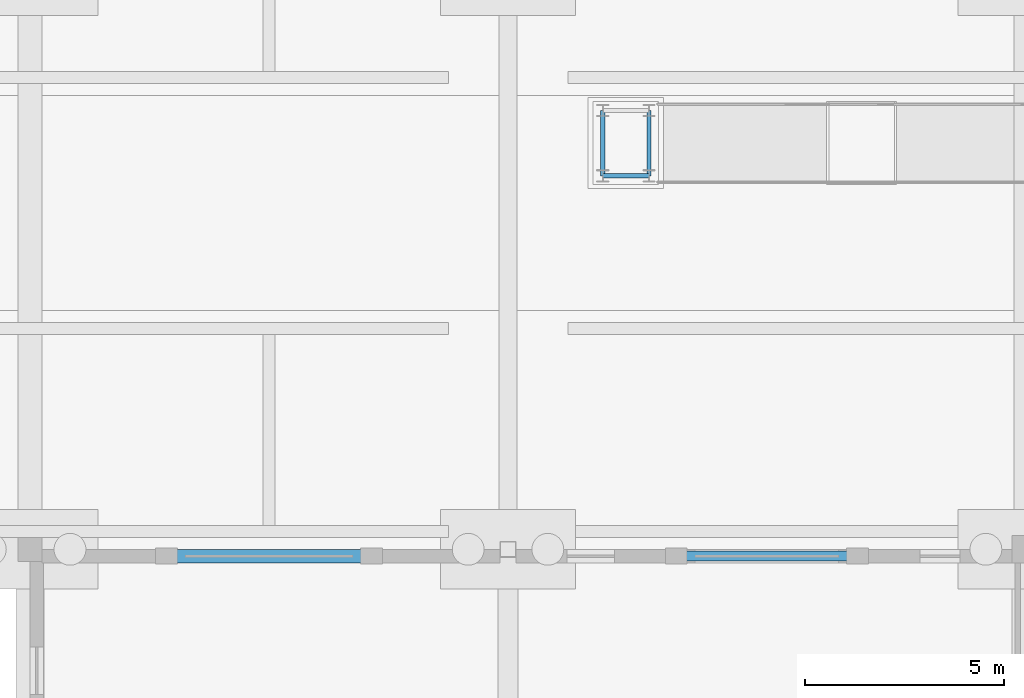
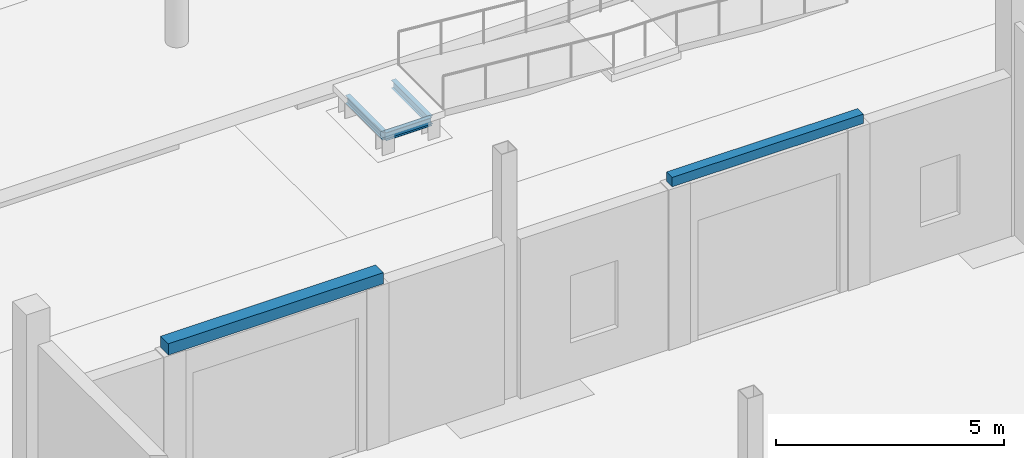
# One storey, part 67 of 115: 5 beams.
"""IFC4 building model written with IfcOpenShell, lengths in metres."""

from ifc_helpers import new_model, si_unit, direction, frame, origin, origin_2d, place, context, subcontext, project, spatial, rectangle, i_section, extrude, material, material_profile, profile_set, type_object, element, save


model = new_model("IFC4")

# Units and contexts
model_context = context("Model", 3, precision=1e-05, world=origin(), true_north=direction((0.0, 1.0)))
body_context = subcontext(model_context, "Body", "Model", "MODEL_VIEW")
ifc_project = project(units=[si_unit("LENGTHUNIT", "METRE"), si_unit("AREAUNIT", "SQUARE_METRE"), si_unit("VOLUMEUNIT", "CUBIC_METRE"), si_unit("PLANEANGLEUNIT", "RADIAN"), si_unit("MASSUNIT", "GRAM", prefix="KILO")], contexts=[model_context])

# Site, building, storey
site_placement = place(None, origin())
site = spatial("IfcSite", under=ifc_project, at=site_placement, CompositionType="ELEMENT")
building_placement = place(site_placement, origin())
building = spatial("IfcBuilding", under=site, at=building_placement, Name="Tamarisk Ironworks Central Station", CompositionType="ELEMENT")
storey_placement = place(building_placement, origin())
storey = spatial("IfcBuildingStorey", under=building, at=storey_placement, Name="L00", CompositionType="ELEMENT", Elevation=0.0)

# Beams
ifc_material_1 = material(Name="Structural steel S355J2", Category="steel")
ifc_material_profile_1 = material_profile(ifc_material_1, i_section(OverallWidth=0.110107421875, OverallDepth=0.219970703125, WebThickness=0.005859375, FlangeThickness=0.00927734375, at=origin_2d()), Name="IPE 220")
ifc_profile_set_1 = profile_set([ifc_material_profile_1], Name="Structural steel S355J2")
beam_type_1 = type_object("IfcBeamType", Name="BM-J02", PredefinedType="JOIST", material=ifc_profile_set_1)
beam_1_placement = place(storey_placement, frame((142.3798828125, 30.97998046875, 0.39990234375), z_axis=(1.0, 0.0, 0.0), x_axis=(0.0, 1.0, 0.0)))
element("IfcBeam", 1, at=beam_1_placement, inside=storey, type_object=beam_type_1, Name="RMP-P2E arrival landing tie beam 1", PredefinedType="JOIST", context=body_context, shape_type="SweptSolid", body=[
    extrude(i_section(OverallWidth=0.110107421875, OverallDepth=0.219970703125, WebThickness=0.005859375, FlangeThickness=0.00927734375, at=origin_2d()), origin(), (0.0, 0.0, 1.0), 1.16015625),
])
for number, where, z_axis, x_axis, name in (
    (2, (142.3798828125, 30.97998046875, 0.39990234375), (0.0, 1.0, 0.0), (-1.0, 0.0, 0.0), "RMP-P2E arrival landing tie beam 3"),
    (3, (143.5400390625, 30.97998046875, 0.39990234375), (0.0, 1.0, 0.0), (-1.0, 0.0, 0.0), "RMP-P2E arrival landing tie beam 4"),
):
    element("IfcBeam", number, at=place(storey_placement, frame(where, z_axis=z_axis, x_axis=x_axis)), inside=storey, type_object=beam_type_1, Name=name, PredefinedType="JOIST", context=body_context, shape_type="SweptSolid", body=[
        extrude(i_section(OverallWidth=0.110107421875, OverallDepth=0.219970703125, WebThickness=0.005859375, FlangeThickness=0.00927734375, at=origin_2d()), origin(), (0.0, 0.0, 1.0), 1.64013671875),
    ])
ifc_material_2 = material(Name="Precast concrete C45/55", Category="concrete")
ifc_material_profile_2 = material_profile(ifc_material_2, rectangle(XDim=0.340087890625, YDim=0.300048828125, at=origin_2d()), Name="PC LINTEL 340x300")
ifc_profile_set_2 = profile_set([ifc_material_profile_2], Name="Precast concrete C45/55")
beam_type_2 = type_object("IfcBeamType", Name="BM-LIN01", PredefinedType="LINTEL", material=ifc_profile_set_2)
beam_2_placement = place(storey_placement, frame((131.27490234375, 21.429931640625, 4.449951171875), z_axis=(1.0, 0.0, 0.0), x_axis=(0.0, 1.0, 0.0)))
element("IfcBeam", 4, at=beam_2_placement, inside=storey, type_object=beam_type_2, Name="Precast concrete shutter lintel 05", PredefinedType="LINTEL", context=body_context, shape_type="SweptSolid", body=[
    extrude(rectangle(XDim=0.340087890625, YDim=0.300048828125, at=origin_2d()), origin(), (0.0, 0.0, 1.0), 5.4501953125),
])
ifc_material_profile_3 = material_profile(ifc_material_2, rectangle(XDim=0.25, YDim=0.25, at=origin_2d()), Name="PC LINTEL 250x250")
ifc_profile_set_3 = profile_set([ifc_material_profile_3], Name="Precast concrete C45/55")
beam_type_3 = type_object("IfcBeamType", Name="BM-LIN02", PredefinedType="LINTEL", material=ifc_profile_set_3)
beam_3_placement = place(storey_placement, frame((144.074951171875, 21.429931640625, 4.425048828125), z_axis=(1.0, 0.0, 0.0), x_axis=(0.0, 1.0, 0.0)))
element("IfcBeam", 5, at=beam_3_placement, inside=storey, type_object=beam_type_3, Name="Precast concrete shutter lintel 06", PredefinedType="LINTEL", context=body_context, shape_type="SweptSolid", body=[
    extrude(rectangle(XDim=0.25, YDim=0.25, at=origin_2d()), origin(), (0.0, 0.0, 1.0), 4.85009765625),
])

save(model, "model.ifc")
